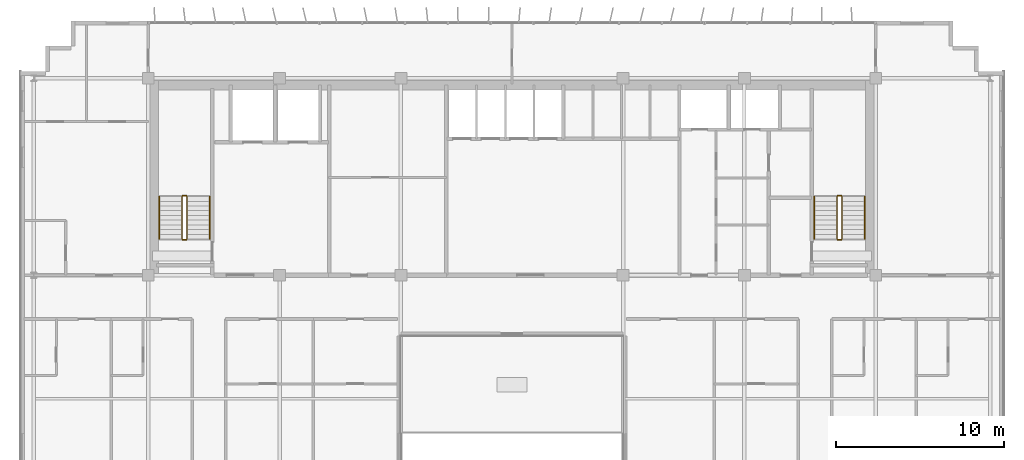
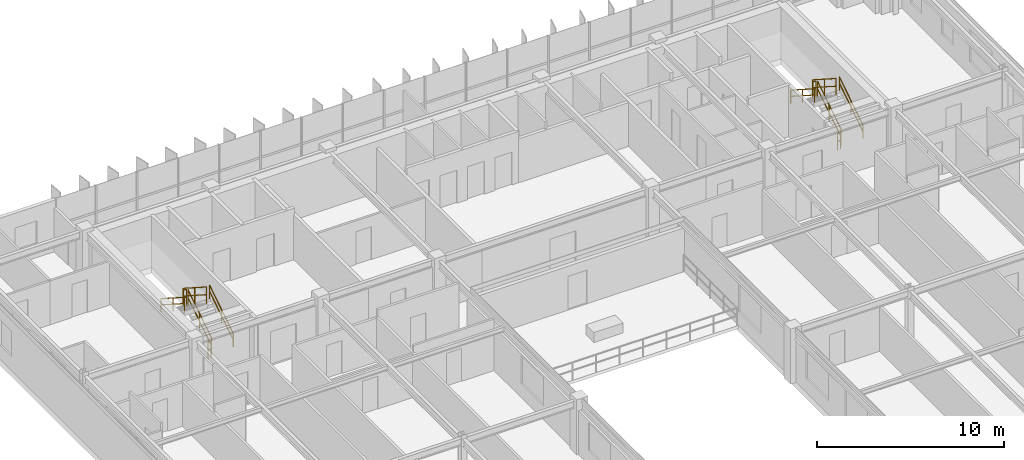
# One storey, part 23 of 23: 12 railings.
"""IFC4 building model written with IfcOpenShell, lengths in metres."""

from ifc_helpers import new_model, si_unit, direction, frame, origin, origin_2d, place, context, subcontext, project, spatial, rectangle, extrude, material, type_object, element, save


model = new_model("IFC4")

# Units and contexts
model_context = context("Model", 3, precision=1e-05, world=origin(), true_north=direction((0.0, 1.0)))
body_context = subcontext(model_context, "Body", "Model", "MODEL_VIEW")
ifc_project = project(units=[si_unit("LENGTHUNIT", "METRE"), si_unit("AREAUNIT", "SQUARE_METRE"), si_unit("VOLUMEUNIT", "CUBIC_METRE"), si_unit("PLANEANGLEUNIT", "RADIAN"), si_unit("MASSUNIT", "GRAM", prefix="KILO")], contexts=[model_context])

# Site, building, storey
site_placement = place(None, origin())
site = spatial("IfcSite", under=ifc_project, at=site_placement, CompositionType="ELEMENT")
building_placement = place(site_placement, origin())
building = spatial("IfcBuilding", under=site, at=building_placement, Name="Trelvane Seafront Commons", CompositionType="ELEMENT")
storey_placement = place(building_placement, frame((0.0, 0.0, 190.5)))
storey = spatial("IfcBuildingStorey", under=building, at=storey_placement, Name="L49", CompositionType="ELEMENT", Elevation=190.5)

# Railings
ifc_material = material(Name="Stainless steel balustrade", Category="steel")
railing_type_1 = type_object("IfcRailingType", Name="ARCH-SRL-GUARD", PredefinedType="GUARDRAIL", material=ifc_material)
railing_1_placement = place(storey_placement, frame((17.89990234375, 35.550048828125, 0.179931640625)))
element("IfcRailing", 1, at=railing_1_placement, inside=storey, type_object=railing_type_1, Name="L49 ST-1 stair guard 1", PredefinedType="GUARDRAIL", context=body_context, shape_type="SweptSolid", body=[
    extrude(rectangle(XDim=0.048095703125, YDim=0.048095703125, at=origin_2d()), frame((0.0, 0.0, 1.076171875), z_axis=(0.0, 0.841162588446, 0.540782303519), x_axis=(-1.0, 0.0, 0.0)), (0.0, 0.0, 1.0), 2.995849609375),
    extrude(rectangle(XDim=0.048095703125, YDim=0.048095703125, at=origin_2d()), frame((0.0, 0.0, 0.572021484375), z_axis=(0.0, 0.841162588446, 0.540782303519), x_axis=(-1.0, 0.0, 0.0)), (0.0, 0.0, 1.0), 2.995849609375),
    extrude(rectangle(XDim=0.0419921875, YDim=0.0419921875, at=origin_2d()), origin(), (0.0, 0.0, 1.0), 1.076171875),
    extrude(rectangle(XDim=0.0419921875, YDim=0.0419921875, at=origin_2d()), frame((0.0, 1.260009765625, 0.81005859375)), (0.0, 0.0, 1.0), 1.076171875),
    extrude(rectangle(XDim=0.0419921875, YDim=0.0419921875, at=origin_2d()), frame((0.0, 2.52001953125, 1.6201171875)), (0.0, 0.0, 1.0), 1.076171875),
])
railing_2_placement = place(storey_placement, frame((17.85009765625, 38.1201171875, 1.800048828125)))
element("IfcRailing", 2, at=railing_2_placement, inside=storey, type_object=railing_type_1, Name="L49 ST-1 stair guard 2", PredefinedType="GUARDRAIL", context=body_context, shape_type="SweptSolid", body=[
    extrude(rectangle(XDim=0.048095703125, YDim=0.048095703125, at=origin_2d()), frame((0.0, 0.0, 1.076171875), z_axis=(-1.0, 0.0, 0.0), x_axis=(0.0, -1.0, 0.0)), (0.0, 0.0, 1.0), 0.2001953125),
    extrude(rectangle(XDim=0.048095703125, YDim=0.048095703125, at=origin_2d()), frame((0.0, 0.0, 0.572021484375), z_axis=(-1.0, 0.0, 0.0), x_axis=(0.0, -1.0, 0.0)), (0.0, 0.0, 1.0), 0.2001953125),
    extrude(rectangle(XDim=0.0419921875, YDim=0.0419921875, at=origin_2d()), origin(), (0.0, 0.0, 1.0), 1.076171875),
    extrude(rectangle(XDim=0.0419921875, YDim=0.0419921875, at=origin_2d()), frame((-0.2001953125, 0.0, 0.0)), (0.0, 0.0, 1.0), 1.076171875),
])
railing_3_placement = place(storey_placement, frame((17.60009765625, 38.070068359375, 1.97998046875)))
element("IfcRailing", 3, at=railing_3_placement, inside=storey, type_object=railing_type_1, Name="L49 ST-1 stair guard 3", PredefinedType="GUARDRAIL", context=body_context, shape_type="SweptSolid", body=[
    extrude(rectangle(XDim=0.048095703125, YDim=0.048095703125, at=origin_2d()), frame((0.0, 0.0, 1.076171875), z_axis=(0.0, -0.841162588446, 0.540782303519), x_axis=(1.0, 0.0, 0.0)), (0.0, 0.0, 1.0), 2.995849609375),
    extrude(rectangle(XDim=0.048095703125, YDim=0.048095703125, at=origin_2d()), frame((0.0, 0.0, 0.572021484375), z_axis=(0.0, -0.841162588446, 0.540782303519), x_axis=(1.0, 0.0, 0.0)), (0.0, 0.0, 1.0), 2.995849609375),
    extrude(rectangle(XDim=0.0419921875, YDim=0.0419921875, at=origin_2d()), origin(), (0.0, 0.0, 1.0), 1.076171875),
    extrude(rectangle(XDim=0.0419921875, YDim=0.0419921875, at=origin_2d()), frame((0.0, -1.260009765625, 0.81005859375)), (0.0, 0.0, 1.0), 1.076171875),
    extrude(rectangle(XDim=0.0419921875, YDim=0.0419921875, at=origin_2d()), frame((0.0, -2.52001953125, 1.6201171875)), (0.0, 0.0, 1.0), 1.076171875),
])
railing_4_placement = place(storey_placement, frame((17.85009765625, 35.5, 0.0)))
element("IfcRailing", 4, at=railing_4_placement, inside=storey, type_object=railing_type_1, Name="L49 ST-1 stair guard 4", PredefinedType="GUARDRAIL", context=body_context, shape_type="SweptSolid", body=[
    extrude(rectangle(XDim=0.048095703125, YDim=0.048095703125, at=origin_2d()), frame((0.0, 0.0, 1.076171875), z_axis=(-1.0, 0.0, 0.0), x_axis=(0.0, -1.0, 0.0)), (0.0, 0.0, 1.0), 0.2001953125),
    extrude(rectangle(XDim=0.048095703125, YDim=0.048095703125, at=origin_2d()), frame((0.0, 0.0, 0.572021484375), z_axis=(-1.0, 0.0, 0.0), x_axis=(0.0, -1.0, 0.0)), (0.0, 0.0, 1.0), 0.2001953125),
    extrude(rectangle(XDim=0.0419921875, YDim=0.0419921875, at=origin_2d()), origin(), (0.0, 0.0, 1.0), 1.076171875),
    extrude(rectangle(XDim=0.0419921875, YDim=0.0419921875, at=origin_2d()), frame((-0.2001953125, 0.0, 0.0)), (0.0, 0.0, 1.0), 1.076171875),
])
railing_5_placement = place(storey_placement, frame((56.800048828125, 35.550048828125, 0.179931640625)))
element("IfcRailing", 5, at=railing_5_placement, inside=storey, type_object=railing_type_1, Name="L49 ST-2 stair guard 1", PredefinedType="GUARDRAIL", context=body_context, shape_type="SweptSolid", body=[
    extrude(rectangle(XDim=0.048095703125, YDim=0.048095703125, at=origin_2d()), frame((0.0, 0.0, 1.076171875), z_axis=(0.0, 0.841162588446, 0.540782303519), x_axis=(-1.0, 0.0, 0.0)), (0.0, 0.0, 1.0), 2.995849609375),
    extrude(rectangle(XDim=0.048095703125, YDim=0.048095703125, at=origin_2d()), frame((0.0, 0.0, 0.572021484375), z_axis=(0.0, 0.841162588446, 0.540782303519), x_axis=(-1.0, 0.0, 0.0)), (0.0, 0.0, 1.0), 2.995849609375),
    extrude(rectangle(XDim=0.0419921875, YDim=0.0419921875, at=origin_2d()), origin(), (0.0, 0.0, 1.0), 1.076171875),
    extrude(rectangle(XDim=0.0419921875, YDim=0.0419921875, at=origin_2d()), frame((0.0, 1.260009765625, 0.81005859375)), (0.0, 0.0, 1.0), 1.076171875),
    extrude(rectangle(XDim=0.0419921875, YDim=0.0419921875, at=origin_2d()), frame((0.0, 2.52001953125, 1.6201171875)), (0.0, 0.0, 1.0), 1.076171875),
])
railing_6_placement = place(storey_placement, frame((56.75, 38.1201171875, 1.800048828125)))
element("IfcRailing", 6, at=railing_6_placement, inside=storey, type_object=railing_type_1, Name="L49 ST-2 stair guard 2", PredefinedType="GUARDRAIL", context=body_context, shape_type="SweptSolid", body=[
    extrude(rectangle(XDim=0.048095703125, YDim=0.048095703125, at=origin_2d()), frame((0.0, 0.0, 1.076171875), z_axis=(-1.0, 0.0, 0.0), x_axis=(0.0, -1.0, 0.0)), (0.0, 0.0, 1.0), 0.199951171875),
    extrude(rectangle(XDim=0.048095703125, YDim=0.048095703125, at=origin_2d()), frame((0.0, 0.0, 0.572021484375), z_axis=(-1.0, 0.0, 0.0), x_axis=(0.0, -1.0, 0.0)), (0.0, 0.0, 1.0), 0.199951171875),
    extrude(rectangle(XDim=0.0419921875, YDim=0.0419921875, at=origin_2d()), origin(), (0.0, 0.0, 1.0), 1.076171875),
    extrude(rectangle(XDim=0.0419921875, YDim=0.0419921875, at=origin_2d()), frame((-0.199951171875, 0.0, 0.0)), (0.0, 0.0, 1.0), 1.076171875),
])
railing_7_placement = place(storey_placement, frame((56.5, 38.070068359375, 1.97998046875)))
element("IfcRailing", 7, at=railing_7_placement, inside=storey, type_object=railing_type_1, Name="L49 ST-2 stair guard 3", PredefinedType="GUARDRAIL", context=body_context, shape_type="SweptSolid", body=[
    extrude(rectangle(XDim=0.048095703125, YDim=0.048095703125, at=origin_2d()), frame((0.0, 0.0, 1.076171875), z_axis=(0.0, -0.841162588446, 0.540782303519), x_axis=(1.0, 0.0, 0.0)), (0.0, 0.0, 1.0), 2.995849609375),
    extrude(rectangle(XDim=0.048095703125, YDim=0.048095703125, at=origin_2d()), frame((0.0, 0.0, 0.572021484375), z_axis=(0.0, -0.841162588446, 0.540782303519), x_axis=(1.0, 0.0, 0.0)), (0.0, 0.0, 1.0), 2.995849609375),
    extrude(rectangle(XDim=0.0419921875, YDim=0.0419921875, at=origin_2d()), origin(), (0.0, 0.0, 1.0), 1.076171875),
    extrude(rectangle(XDim=0.0419921875, YDim=0.0419921875, at=origin_2d()), frame((0.0, -1.260009765625, 0.81005859375)), (0.0, 0.0, 1.0), 1.076171875),
    extrude(rectangle(XDim=0.0419921875, YDim=0.0419921875, at=origin_2d()), frame((0.0, -2.52001953125, 1.6201171875)), (0.0, 0.0, 1.0), 1.076171875),
])
railing_8_placement = place(storey_placement, frame((56.75, 35.5, 0.0)))
element("IfcRailing", 8, at=railing_8_placement, inside=storey, type_object=railing_type_1, Name="L49 ST-2 stair guard 4", PredefinedType="GUARDRAIL", context=body_context, shape_type="SweptSolid", body=[
    extrude(rectangle(XDim=0.048095703125, YDim=0.048095703125, at=origin_2d()), frame((0.0, 0.0, 1.076171875), z_axis=(-1.0, 0.0, 0.0), x_axis=(0.0, -1.0, 0.0)), (0.0, 0.0, 1.0), 0.199951171875),
    extrude(rectangle(XDim=0.048095703125, YDim=0.048095703125, at=origin_2d()), frame((0.0, 0.0, 0.572021484375), z_axis=(-1.0, 0.0, 0.0), x_axis=(0.0, -1.0, 0.0)), (0.0, 0.0, 1.0), 0.199951171875),
    extrude(rectangle(XDim=0.0419921875, YDim=0.0419921875, at=origin_2d()), origin(), (0.0, 0.0, 1.0), 1.076171875),
    extrude(rectangle(XDim=0.0419921875, YDim=0.0419921875, at=origin_2d()), frame((-0.199951171875, 0.0, 0.0)), (0.0, 0.0, 1.0), 1.076171875),
])
railing_type_2 = type_object("IfcRailingType", Name="ARCH-SRL-HAND", PredefinedType="HANDRAIL", material=ifc_material)
railing_9_placement = place(storey_placement, frame((19.25, 35.550048828125, 0.179931640625)))
element("IfcRailing", 9, at=railing_9_placement, inside=storey, type_object=railing_type_2, Name="L49 ST-1 stair handrail 1", PredefinedType="HANDRAIL", context=body_context, shape_type="SweptSolid", body=[
    extrude(rectangle(XDim=0.048095703125, YDim=0.048095703125, at=origin_2d()), frame((0.0, 0.0, 0.8759765625), z_axis=(0.0, 0.841162588446, 0.540782303519), x_axis=(-1.0, 0.0, 0.0)), (0.0, 0.0, 1.0), 2.995849609375),
    extrude(rectangle(XDim=0.048095703125, YDim=0.048095703125, at=origin_2d()), frame((0.0, 0.0, 0.468017578125), z_axis=(0.0, 0.841162588446, 0.540782303519), x_axis=(-1.0, 0.0, 0.0)), (0.0, 0.0, 1.0), 2.995849609375),
    extrude(rectangle(XDim=0.0419921875, YDim=0.0419921875, at=origin_2d()), origin(), (0.0, 0.0, 1.0), 0.8759765625),
    extrude(rectangle(XDim=0.0419921875, YDim=0.0419921875, at=origin_2d()), frame((0.0, 1.260009765625, 0.81005859375)), (0.0, 0.0, 1.0), 0.8759765625),
    extrude(rectangle(XDim=0.0419921875, YDim=0.0419921875, at=origin_2d()), frame((0.0, 2.52001953125, 1.6201171875)), (0.0, 0.0, 1.0), 0.8759765625),
])
railing_10_placement = place(storey_placement, frame((16.25, 38.070068359375, 1.97998046875)))
element("IfcRailing", 10, at=railing_10_placement, inside=storey, type_object=railing_type_2, Name="L49 ST-1 stair handrail 2", PredefinedType="HANDRAIL", context=body_context, shape_type="SweptSolid", body=[
    extrude(rectangle(XDim=0.048095703125, YDim=0.048095703125, at=origin_2d()), frame((0.0, 0.0, 0.8759765625), z_axis=(0.0, -0.841162588446, 0.540782303519), x_axis=(1.0, 0.0, 0.0)), (0.0, 0.0, 1.0), 2.995849609375),
    extrude(rectangle(XDim=0.048095703125, YDim=0.048095703125, at=origin_2d()), frame((0.0, 0.0, 0.468017578125), z_axis=(0.0, -0.841162588446, 0.540782303519), x_axis=(1.0, 0.0, 0.0)), (0.0, 0.0, 1.0), 2.995849609375),
    extrude(rectangle(XDim=0.0419921875, YDim=0.0419921875, at=origin_2d()), origin(), (0.0, 0.0, 1.0), 0.8759765625),
    extrude(rectangle(XDim=0.0419921875, YDim=0.0419921875, at=origin_2d()), frame((0.0, -1.260009765625, 0.81005859375)), (0.0, 0.0, 1.0), 0.8759765625),
    extrude(rectangle(XDim=0.0419921875, YDim=0.0419921875, at=origin_2d()), frame((0.0, -2.52001953125, 1.6201171875)), (0.0, 0.0, 1.0), 0.8759765625),
])
railing_11_placement = place(storey_placement, frame((58.14990234375, 35.550048828125, 0.179931640625)))
element("IfcRailing", 11, at=railing_11_placement, inside=storey, type_object=railing_type_2, Name="L49 ST-2 stair handrail 1", PredefinedType="HANDRAIL", context=body_context, shape_type="SweptSolid", body=[
    extrude(rectangle(XDim=0.048095703125, YDim=0.048095703125, at=origin_2d()), frame((0.0, 0.0, 0.8759765625), z_axis=(0.0, 0.841162588446, 0.540782303519), x_axis=(-1.0, 0.0, 0.0)), (0.0, 0.0, 1.0), 2.995849609375),
    extrude(rectangle(XDim=0.048095703125, YDim=0.048095703125, at=origin_2d()), frame((0.0, 0.0, 0.468017578125), z_axis=(0.0, 0.841162588446, 0.540782303519), x_axis=(-1.0, 0.0, 0.0)), (0.0, 0.0, 1.0), 2.995849609375),
    extrude(rectangle(XDim=0.0419921875, YDim=0.0419921875, at=origin_2d()), origin(), (0.0, 0.0, 1.0), 0.8759765625),
    extrude(rectangle(XDim=0.0419921875, YDim=0.0419921875, at=origin_2d()), frame((0.0, 1.260009765625, 0.81005859375)), (0.0, 0.0, 1.0), 0.8759765625),
    extrude(rectangle(XDim=0.0419921875, YDim=0.0419921875, at=origin_2d()), frame((0.0, 2.52001953125, 1.6201171875)), (0.0, 0.0, 1.0), 0.8759765625),
])
railing_12_placement = place(storey_placement, frame((55.14990234375, 38.070068359375, 1.97998046875)))
element("IfcRailing", 12, at=railing_12_placement, inside=storey, type_object=railing_type_2, Name="L49 ST-2 stair handrail 2", PredefinedType="HANDRAIL", context=body_context, shape_type="SweptSolid", body=[
    extrude(rectangle(XDim=0.048095703125, YDim=0.048095703125, at=origin_2d()), frame((0.0, 0.0, 0.8759765625), z_axis=(0.0, -0.841162588446, 0.540782303519), x_axis=(1.0, 0.0, 0.0)), (0.0, 0.0, 1.0), 2.995849609375),
    extrude(rectangle(XDim=0.048095703125, YDim=0.048095703125, at=origin_2d()), frame((0.0, 0.0, 0.468017578125), z_axis=(0.0, -0.841162588446, 0.540782303519), x_axis=(1.0, 0.0, 0.0)), (0.0, 0.0, 1.0), 2.995849609375),
    extrude(rectangle(XDim=0.0419921875, YDim=0.0419921875, at=origin_2d()), origin(), (0.0, 0.0, 1.0), 0.8759765625),
    extrude(rectangle(XDim=0.0419921875, YDim=0.0419921875, at=origin_2d()), frame((0.0, -1.260009765625, 0.81005859375)), (0.0, 0.0, 1.0), 0.8759765625),
    extrude(rectangle(XDim=0.0419921875, YDim=0.0419921875, at=origin_2d()), frame((0.0, -2.52001953125, 1.6201171875)), (0.0, 0.0, 1.0), 0.8759765625),
])

save(model, "model.ifc")
